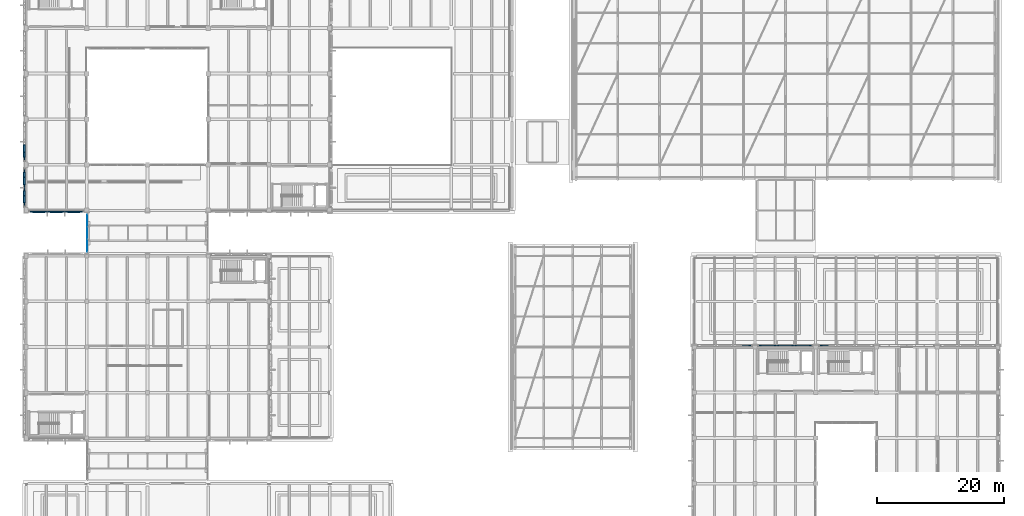
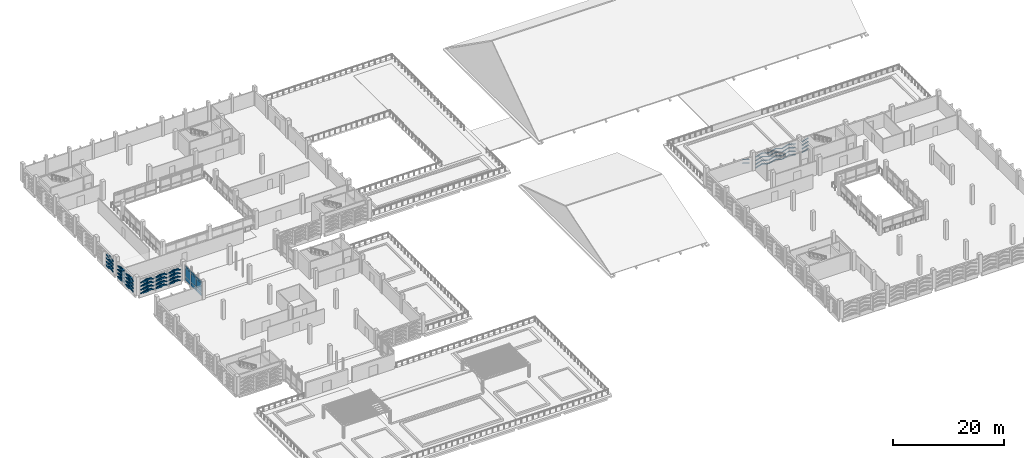
# One storey, part 95 of 134: 130 plates, 1 element without a shape of its own.
"""IFC4 building model written with IfcOpenShell, lengths in metres."""

from ifc_helpers import new_model, si_unit, direction, frame, origin, origin_2d, place, context, subcontext, project, spatial, rectangle, hollow_rectangle, extrude, material, layer, layer_set, material_profile, profile_set, type_object, element, aggregate, save


model = new_model("IFC4")

# Units and contexts
model_context = context("Model", 3, precision=1e-05, world=origin(), true_north=direction((0.0, 1.0)))
body_context = subcontext(model_context, "Body", "Model", "MODEL_VIEW")
ifc_project = project(units=[si_unit("LENGTHUNIT", "METRE"), si_unit("AREAUNIT", "SQUARE_METRE"), si_unit("VOLUMEUNIT", "CUBIC_METRE"), si_unit("PLANEANGLEUNIT", "RADIAN"), si_unit("MASSUNIT", "GRAM", prefix="KILO")], contexts=[model_context])

# Site, building, storey
site_placement = place(None, origin())
site = spatial("IfcSite", under=ifc_project, at=site_placement, CompositionType="ELEMENT")
building_placement = place(site_placement, origin())
building = spatial("IfcBuilding", under=site, at=building_placement, Name="Asteropetra Specialist Clinic", CompositionType="ELEMENT")
storey_placement = place(building_placement, frame((0.0, 0.0, 8.5)))
storey = spatial("IfcBuildingStorey", under=building, at=storey_placement, Name="L02", CompositionType="ELEMENT", Elevation=8.5)

# Plates
ifc_material_1 = material(Name="Chevron emerald aluminium 6063-T6", Category="aluminium")
ifc_material_profile_1 = material_profile(ifc_material_1, hollow_rectangle(XDim=0.179931640625, YDim=0.179931640625, WallThickness=0.010009765625, InnerFilletRadius=0.008056640625, OuterFilletRadius=0.01611328125, at=origin_2d()), Name="SHS 180x180x10.0")
ifc_profile_set_1 = profile_set([ifc_material_profile_1], Name="Chevron emerald aluminium 6063-T6")
plate_type_1 = type_object("IfcPlateType", Name="CHV-RIB-180", PredefinedType="SHEET", material=ifc_profile_set_1)
for number, where, z_axis, x_axis, name in (
    (1, (114.534912109375, 48.239501953125, 1.6201171875), (-0.952479516829, 0.0, 0.304602642835), (0.0, -1.0, 0.0), "Chevron Facade Screen Fin CVR-2492"),
    (2, (114.534912109375, 48.239501953125, 2.39990234375), (-0.952430080856, 0.0, 0.304757183805), (0.0, -1.0, 0.0), "Chevron Facade Screen Fin CVR-2494"),
    (3, (124.135009765625, 48.239501953125, 0.050048828125), (-0.952430080856, 0.0, 0.304757183805), (0.0, -1.0, 0.0), "Chevron Facade Screen Fin CVR-2536"),
    (4, (122.77001953125, 48.239501953125, 0.48681640625), (-0.952430080856, 0.0, -0.304757183805), (0.0, -1.0, 0.0), "Chevron Facade Screen Fin CVR-2537"),
    (5, (124.135009765625, 48.239501953125, 0.820068359375), (-0.952479516829, 0.0, 0.304602642835), (0.0, -1.0, 0.0), "Chevron Facade Screen Fin CVR-2538"),
    (6, (122.77001953125, 48.239501953125, 1.256591796875), (-0.952479516829, 0.0, -0.304602642835), (0.0, -1.0, 0.0), "Chevron Facade Screen Fin CVR-2539"),
    (7, (124.135009765625, 48.239501953125, 1.6201171875), (-0.952479516829, 0.0, 0.304602642835), (0.0, -1.0, 0.0), "Chevron Facade Screen Fin CVR-2540"),
    (8, (122.77001953125, 48.239501953125, 2.056640625), (-0.952479516829, 0.0, -0.304602642835), (0.0, -1.0, 0.0), "Chevron Facade Screen Fin CVR-2541"),
    (9, (124.135009765625, 48.239501953125, 2.39990234375), (-0.952430080856, 0.0, 0.304757183805), (0.0, -1.0, 0.0), "Chevron Facade Screen Fin CVR-2542"),
    (10, (122.77001953125, 48.239501953125, 2.836669921875), (-0.952430080856, 0.0, -0.304757183805), (0.0, -1.0, 0.0), "Chevron Facade Screen Fin CVR-2543"),
    (11, (121.364990234375, 48.239501953125, 0.050048828125), (-0.952430080856, 0.0, 0.304757183805), (0.0, -1.0, 0.0), "Chevron Facade Screen Fin CVR-2544"),
    (12, (120.0, 48.239501953125, 0.48681640625), (-0.952430080856, 0.0, -0.304757183805), (0.0, -1.0, 0.0), "Chevron Facade Screen Fin CVR-2545"),
    (13, (121.364990234375, 48.239501953125, 0.820068359375), (-0.952479516829, 0.0, 0.304602642835), (0.0, -1.0, 0.0), "Chevron Facade Screen Fin CVR-2546"),
    (14, (120.0, 48.239501953125, 1.256591796875), (-0.952479516829, 0.0, -0.304602642835), (0.0, -1.0, 0.0), "Chevron Facade Screen Fin CVR-2547"),
    (15, (121.364990234375, 48.239501953125, 1.6201171875), (-0.952479516829, 0.0, 0.304602642835), (0.0, -1.0, 0.0), "Chevron Facade Screen Fin CVR-2548"),
    (16, (120.0, 48.239501953125, 2.056640625), (-0.952479516829, 0.0, -0.304602642835), (0.0, -1.0, 0.0), "Chevron Facade Screen Fin CVR-2549"),
    (17, (121.364990234375, 48.239501953125, 2.39990234375), (-0.952430080856, 0.0, 0.304757183805), (0.0, -1.0, 0.0), "Chevron Facade Screen Fin CVR-2550"),
    (18, (120.0, 48.239501953125, 2.836669921875), (-0.952430080856, 0.0, -0.304757183805), (0.0, -1.0, 0.0), "Chevron Facade Screen Fin CVR-2551"),
    (19, (118.594970703125, 48.239501953125, 0.050048828125), (-0.952430080856, 0.0, 0.304757183805), (0.0, -1.0, 0.0), "Chevron Facade Screen Fin CVR-2552"),
    (20, (117.22998046875, 48.239501953125, 0.48681640625), (-0.952430080856, 0.0, -0.304757183805), (0.0, -1.0, 0.0), "Chevron Facade Screen Fin CVR-2553"),
    (21, (118.594970703125, 48.239501953125, 0.820068359375), (-0.952479516829, 0.0, 0.304602642835), (0.0, -1.0, 0.0), "Chevron Facade Screen Fin CVR-2554"),
    (22, (117.22998046875, 48.239501953125, 1.256591796875), (-0.952479516829, 0.0, -0.304602642835), (0.0, -1.0, 0.0), "Chevron Facade Screen Fin CVR-2555"),
    (23, (118.594970703125, 48.239501953125, 1.6201171875), (-0.952479516829, 0.0, 0.304602642835), (0.0, -1.0, 0.0), "Chevron Facade Screen Fin CVR-2556"),
    (24, (117.22998046875, 48.239501953125, 2.056640625), (-0.952479516829, 0.0, -0.304602642835), (0.0, -1.0, 0.0), "Chevron Facade Screen Fin CVR-2557"),
    (25, (118.594970703125, 48.239501953125, 2.39990234375), (-0.952430080856, 0.0, 0.304757183805), (0.0, -1.0, 0.0), "Chevron Facade Screen Fin CVR-2558"),
    (26, (117.22998046875, 48.239501953125, 2.836669921875), (-0.952430080856, 0.0, -0.304757183805), (0.0, -1.0, 0.0), "Chevron Facade Screen Fin CVR-2559"),
    (27, (126.830078125, 48.239501953125, 0.48681640625), (-0.952430080856, 0.0, -0.304757183805), (0.0, -1.0, 0.0), "Chevron Facade Screen Fin CVR-2601"),
    (28, (126.830078125, 48.239501953125, 1.256591796875), (-0.952479516829, 0.0, -0.304602642835), (0.0, -1.0, 0.0), "Chevron Facade Screen Fin CVR-2603"),
    (29, (126.830078125, 48.239501953125, 2.056640625), (-0.952479516829, 0.0, -0.304602642835), (0.0, -1.0, 0.0), "Chevron Facade Screen Fin CVR-2605"),
    (30, (126.830078125, 48.239501953125, 2.836669921875), (-0.952430080856, 0.0, -0.304757183805), (0.0, -1.0, 0.0), "Chevron Facade Screen Fin CVR-2607"),
):
    element("IfcPlate", number, at=place(storey_placement, frame(where, z_axis=z_axis, x_axis=x_axis)), inside=storey, type_object=plate_type_1, Name=name, PredefinedType="SHEET", context=body_context, shape_type="SweptSolid", body=[
        extrude(hollow_rectangle(XDim=0.179931640625, YDim=0.179931640625, WallThickness=0.010009765625, InnerFilletRadius=0.008056640625, OuterFilletRadius=0.01611328125, at=origin_2d()), origin(), (0.0, 0.0, 1.0), 1.43310546875),
    ])
ifc_material_2 = material(Name="Chevron emerald aluminium 6063-T6", Category="aluminium")
ifc_material_profile_2 = material_profile(ifc_material_2, hollow_rectangle(XDim=0.199951171875, YDim=0.199951171875, WallThickness=0.010009765625, InnerFilletRadius=0.008056640625, OuterFilletRadius=0.01611328125, at=origin_2d()), Name="SHS 200x200x10.0")
ifc_profile_set_2 = profile_set([ifc_material_profile_2], Name="Chevron emerald aluminium 6063-T6")
plate_type_2 = type_object("IfcPlateType", Name="CHV-RIB-200", PredefinedType="SHEET", material=ifc_profile_set_2)
plate_1_placement = place(storey_placement, frame((0.639892578125, 69.35791015625, 0.050048828125), z_axis=(0.952430080856, 0.0, 0.304757183805), x_axis=(0.0, 1.0, 0.0)))
element("IfcPlate", 31, at=plate_1_placement, inside=storey, type_object=plate_type_2, Name="Chevron Facade Screen Fin CVR-0827", PredefinedType="SHEET", context=body_context, shape_type="SweptSolid", body=[
    extrude(hollow_rectangle(XDim=0.199951171875, YDim=0.199951171875, WallThickness=0.010009765625, InnerFilletRadius=0.008056640625, OuterFilletRadius=0.01611328125, at=origin_2d()), origin(), (0.0, 0.0, 1.0), 1.43310546875),
])
plate_2_placement = place(storey_placement, frame((2.0048828125, 69.35791015625, 0.48681640625), z_axis=(0.952445898647, 0.0, -0.304707745472), x_axis=(0.0, 1.0, 0.0)))
element("IfcPlate", 32, at=plate_2_placement, inside=storey, type_object=plate_type_2, Name="Chevron Facade Screen Fin CVR-0828", PredefinedType="SHEET", context=body_context, shape_type="SweptSolid", body=[
    extrude(hollow_rectangle(XDim=0.199951171875, YDim=0.199951171875, WallThickness=0.010009765625, InnerFilletRadius=0.008056640625, OuterFilletRadius=0.01611328125, at=origin_2d()), origin(), (0.0, 0.0, 1.0), 1.433349609375),
])
plate_3_placement = place(storey_placement, frame((0.639892578125, 69.35791015625, 0.820068359375), z_axis=(0.952479516829, 0.0, 0.304602642835), x_axis=(0.0, 1.0, 0.0)))
element("IfcPlate", 33, at=plate_3_placement, inside=storey, type_object=plate_type_2, Name="Chevron Facade Screen Fin CVR-0829", PredefinedType="SHEET", context=body_context, shape_type="SweptSolid", body=[
    extrude(hollow_rectangle(XDim=0.199951171875, YDim=0.199951171875, WallThickness=0.010009765625, InnerFilletRadius=0.008056640625, OuterFilletRadius=0.01611328125, at=origin_2d()), origin(), (0.0, 0.0, 1.0), 1.43310546875),
])
plate_4_placement = place(storey_placement, frame((2.0048828125, 69.35791015625, 1.256591796875), z_axis=(0.952495319401, 0.0, -0.304553224444), x_axis=(0.0, 1.0, 0.0)))
element("IfcPlate", 34, at=plate_4_placement, inside=storey, type_object=plate_type_2, Name="Chevron Facade Screen Fin CVR-0830", PredefinedType="SHEET", context=body_context, shape_type="SweptSolid", body=[
    extrude(hollow_rectangle(XDim=0.199951171875, YDim=0.199951171875, WallThickness=0.010009765625, InnerFilletRadius=0.008056640625, OuterFilletRadius=0.01611328125, at=origin_2d()), origin(), (0.0, 0.0, 1.0), 1.433349609375),
])
plate_5_placement = place(storey_placement, frame((0.639892578125, 69.35791015625, 1.6201171875), z_axis=(0.952479516829, 0.0, 0.304602642835), x_axis=(0.0, 1.0, 0.0)))
element("IfcPlate", 35, at=plate_5_placement, inside=storey, type_object=plate_type_2, Name="Chevron Facade Screen Fin CVR-0831", PredefinedType="SHEET", context=body_context, shape_type="SweptSolid", body=[
    extrude(hollow_rectangle(XDim=0.199951171875, YDim=0.199951171875, WallThickness=0.010009765625, InnerFilletRadius=0.008056640625, OuterFilletRadius=0.01611328125, at=origin_2d()), origin(), (0.0, 0.0, 1.0), 1.43310546875),
])
plate_6_placement = place(storey_placement, frame((2.0048828125, 69.35791015625, 2.056640625), z_axis=(0.952495319401, 0.0, -0.304553224444), x_axis=(0.0, 1.0, 0.0)))
element("IfcPlate", 36, at=plate_6_placement, inside=storey, type_object=plate_type_2, Name="Chevron Facade Screen Fin CVR-0832", PredefinedType="SHEET", context=body_context, shape_type="SweptSolid", body=[
    extrude(hollow_rectangle(XDim=0.199951171875, YDim=0.199951171875, WallThickness=0.010009765625, InnerFilletRadius=0.008056640625, OuterFilletRadius=0.01611328125, at=origin_2d()), origin(), (0.0, 0.0, 1.0), 1.433349609375),
])
plate_7_placement = place(storey_placement, frame((0.639892578125, 69.35791015625, 2.39990234375), z_axis=(0.952430080856, 0.0, 0.304757183805), x_axis=(0.0, 1.0, 0.0)))
element("IfcPlate", 37, at=plate_7_placement, inside=storey, type_object=plate_type_2, Name="Chevron Facade Screen Fin CVR-0833", PredefinedType="SHEET", context=body_context, shape_type="SweptSolid", body=[
    extrude(hollow_rectangle(XDim=0.199951171875, YDim=0.199951171875, WallThickness=0.010009765625, InnerFilletRadius=0.008056640625, OuterFilletRadius=0.01611328125, at=origin_2d()), origin(), (0.0, 0.0, 1.0), 1.43310546875),
])
plate_8_placement = place(storey_placement, frame((2.0048828125, 69.35791015625, 2.836669921875), z_axis=(0.952445898647, 0.0, -0.304707745472), x_axis=(0.0, 1.0, 0.0)))
element("IfcPlate", 38, at=plate_8_placement, inside=storey, type_object=plate_type_2, Name="Chevron Facade Screen Fin CVR-0834", PredefinedType="SHEET", context=body_context, shape_type="SweptSolid", body=[
    extrude(hollow_rectangle(XDim=0.199951171875, YDim=0.199951171875, WallThickness=0.010009765625, InnerFilletRadius=0.008056640625, OuterFilletRadius=0.01611328125, at=origin_2d()), origin(), (0.0, 0.0, 1.0), 1.433349609375),
])
for number, where, z_axis, x_axis, name in (
    (39, (3.409912109375, 69.35791015625, 0.050048828125), (0.952430080856, 0.0, 0.304757183805), (0.0, 1.0, 0.0), "Chevron Facade Screen Fin CVR-0835"),
    (40, (4.77490234375, 69.35791015625, 0.48681640625), (0.952430080856, 0.0, -0.304757183805), (0.0, 1.0, 0.0), "Chevron Facade Screen Fin CVR-0836"),
    (41, (3.409912109375, 69.35791015625, 0.820068359375), (0.952479516829, 0.0, 0.304602642835), (0.0, 1.0, 0.0), "Chevron Facade Screen Fin CVR-0837"),
    (42, (4.77490234375, 69.35791015625, 1.256591796875), (0.952479516829, 0.0, -0.304602642835), (0.0, 1.0, 0.0), "Chevron Facade Screen Fin CVR-0838"),
    (43, (3.409912109375, 69.35791015625, 1.6201171875), (0.952479516829, 0.0, 0.304602642835), (0.0, 1.0, 0.0), "Chevron Facade Screen Fin CVR-0839"),
    (44, (4.77490234375, 69.35791015625, 2.056640625), (0.952479516829, 0.0, -0.304602642835), (0.0, 1.0, 0.0), "Chevron Facade Screen Fin CVR-0840"),
    (45, (3.409912109375, 69.35791015625, 2.39990234375), (0.952430080856, 0.0, 0.304757183805), (0.0, 1.0, 0.0), "Chevron Facade Screen Fin CVR-0841"),
    (46, (4.77490234375, 69.35791015625, 2.836669921875), (0.952430080856, 0.0, -0.304757183805), (0.0, 1.0, 0.0), "Chevron Facade Screen Fin CVR-0842"),
    (47, (6.179931640625, 69.35791015625, 0.050048828125), (0.952430080856, 0.0, 0.304757183805), (0.0, 1.0, 0.0), "Chevron Facade Screen Fin CVR-0843"),
    (48, (7.544921875, 69.35791015625, 0.48681640625), (0.952430080856, 0.0, -0.304757183805), (0.0, 1.0, 0.0), "Chevron Facade Screen Fin CVR-0844"),
    (49, (6.179931640625, 69.35791015625, 0.820068359375), (0.952479516829, 0.0, 0.304602642835), (0.0, 1.0, 0.0), "Chevron Facade Screen Fin CVR-0845"),
    (50, (7.544921875, 69.35791015625, 1.256591796875), (0.952479516829, 0.0, -0.304602642835), (0.0, 1.0, 0.0), "Chevron Facade Screen Fin CVR-0846"),
    (51, (6.179931640625, 69.35791015625, 1.6201171875), (0.952479516829, 0.0, 0.304602642835), (0.0, 1.0, 0.0), "Chevron Facade Screen Fin CVR-0847"),
    (52, (7.544921875, 69.35791015625, 2.056640625), (0.952479516829, 0.0, -0.304602642835), (0.0, 1.0, 0.0), "Chevron Facade Screen Fin CVR-0848"),
    (53, (6.179931640625, 69.35791015625, 2.39990234375), (0.952430080856, 0.0, 0.304757183805), (0.0, 1.0, 0.0), "Chevron Facade Screen Fin CVR-0849"),
    (54, (7.544921875, 69.35791015625, 2.836669921875), (0.952430080856, 0.0, -0.304757183805), (0.0, 1.0, 0.0), "Chevron Facade Screen Fin CVR-0850"),
):
    element("IfcPlate", number, at=place(storey_placement, frame(where, z_axis=z_axis, x_axis=x_axis)), inside=storey, type_object=plate_type_2, Name=name, PredefinedType="SHEET", context=body_context, shape_type="SweptSolid", body=[
        extrude(hollow_rectangle(XDim=0.199951171875, YDim=0.199951171875, WallThickness=0.010009765625, InnerFilletRadius=0.008056640625, OuterFilletRadius=0.01611328125, at=origin_2d()), origin(), (0.0, 0.0, 1.0), 1.43310546875),
    ])
for number, where, z_axis, x_axis, name in (
    (55, (-0.241943359375, 76.034912109375, 0.050048828125), (0.0, -0.952510437396, 0.304505938616), (1.0, 0.0, 0.0), "Chevron Facade Screen Fin CVR-1027"),
    (56, (-0.241943359375, 74.62744140625, 0.5), (0.0, -0.952510437396, -0.304505938616), (1.0, 0.0, 0.0), "Chevron Facade Screen Fin CVR-1028"),
    (57, (-0.241943359375, 76.034912109375, 0.820068359375), (0.0, -0.952510437396, 0.304505938616), (1.0, 0.0, 0.0), "Chevron Facade Screen Fin CVR-1029"),
    (58, (-0.241943359375, 74.62744140625, 1.27001953125), (0.0, -0.952510437396, -0.304505938616), (1.0, 0.0, 0.0), "Chevron Facade Screen Fin CVR-1030"),
    (59, (-0.241943359375, 76.034912109375, 1.6201171875), (0.0, -0.952510437396, 0.304505938616), (1.0, 0.0, 0.0), "Chevron Facade Screen Fin CVR-1031"),
    (60, (-0.241943359375, 74.62744140625, 2.070068359375), (0.0, -0.952510437396, -0.304505938616), (1.0, 0.0, 0.0), "Chevron Facade Screen Fin CVR-1032"),
):
    element("IfcPlate", number, at=place(storey_placement, frame(where, z_axis=z_axis, x_axis=x_axis)), inside=storey, type_object=plate_type_2, Name=name, PredefinedType="SHEET", context=body_context, shape_type="SweptSolid", body=[
        extrude(hollow_rectangle(XDim=0.199951171875, YDim=0.199951171875, WallThickness=0.010009765625, InnerFilletRadius=0.008056640625, OuterFilletRadius=0.01611328125, at=origin_2d()), origin(), (0.0, 0.0, 1.0), 1.4775390625),
    ])
for number, where, z_axis, x_axis, name in (
    (61, (-0.241943359375, 76.034912109375, 2.39990234375), (0.0, -0.952462505902, 0.304655830162), (1.0, 0.0, 0.0), "Chevron Facade Screen Fin CVR-1033"),
    (62, (-0.241943359375, 74.62744140625, 2.85009765625), (0.0, -0.952462505902, -0.304655830162), (1.0, 0.0, 0.0), "Chevron Facade Screen Fin CVR-1034"),
):
    element("IfcPlate", number, at=place(storey_placement, frame(where, z_axis=z_axis, x_axis=x_axis)), inside=storey, type_object=plate_type_2, Name=name, PredefinedType="SHEET", context=body_context, shape_type="SweptSolid", body=[
        extrude(hollow_rectangle(XDim=0.199951171875, YDim=0.199951171875, WallThickness=0.010009765625, InnerFilletRadius=0.008056640625, OuterFilletRadius=0.01611328125, at=origin_2d()), origin(), (0.0, 0.0, 1.0), 1.477783203125),
    ])
for number, where, z_axis, x_axis, name in (
    (63, (-0.241943359375, 73.179931640625, 0.050048828125), (0.0, -0.952510437396, 0.304505938616), (1.0, 0.0, 0.0), "Chevron Facade Screen Fin CVR-1035"),
    (64, (-0.241943359375, 71.7724609375, 0.5), (0.0, -0.952510437396, -0.304505938616), (1.0, 0.0, 0.0), "Chevron Facade Screen Fin CVR-1036"),
    (65, (-0.241943359375, 73.179931640625, 0.820068359375), (0.0, -0.952510437396, 0.304505938616), (1.0, 0.0, 0.0), "Chevron Facade Screen Fin CVR-1037"),
    (66, (-0.241943359375, 71.7724609375, 1.27001953125), (0.0, -0.952510437396, -0.304505938616), (1.0, 0.0, 0.0), "Chevron Facade Screen Fin CVR-1038"),
    (67, (-0.241943359375, 73.179931640625, 1.6201171875), (0.0, -0.952510437396, 0.304505938616), (1.0, 0.0, 0.0), "Chevron Facade Screen Fin CVR-1039"),
    (68, (-0.241943359375, 71.7724609375, 2.070068359375), (0.0, -0.952510437396, -0.304505938616), (1.0, 0.0, 0.0), "Chevron Facade Screen Fin CVR-1040"),
):
    element("IfcPlate", number, at=place(storey_placement, frame(where, z_axis=z_axis, x_axis=x_axis)), inside=storey, type_object=plate_type_2, Name=name, PredefinedType="SHEET", context=body_context, shape_type="SweptSolid", body=[
        extrude(hollow_rectangle(XDim=0.199951171875, YDim=0.199951171875, WallThickness=0.010009765625, InnerFilletRadius=0.008056640625, OuterFilletRadius=0.01611328125, at=origin_2d()), origin(), (0.0, 0.0, 1.0), 1.4775390625),
    ])
for number, where, z_axis, x_axis, name in (
    (69, (-0.241943359375, 73.179931640625, 2.39990234375), (0.0, -0.952462505902, 0.304655830162), (1.0, 0.0, 0.0), "Chevron Facade Screen Fin CVR-1041"),
    (70, (-0.241943359375, 71.7724609375, 2.85009765625), (0.0, -0.952462505902, -0.304655830162), (1.0, 0.0, 0.0), "Chevron Facade Screen Fin CVR-1042"),
):
    element("IfcPlate", number, at=place(storey_placement, frame(where, z_axis=z_axis, x_axis=x_axis)), inside=storey, type_object=plate_type_2, Name=name, PredefinedType="SHEET", context=body_context, shape_type="SweptSolid", body=[
        extrude(hollow_rectangle(XDim=0.199951171875, YDim=0.199951171875, WallThickness=0.010009765625, InnerFilletRadius=0.008056640625, OuterFilletRadius=0.01611328125, at=origin_2d()), origin(), (0.0, 0.0, 1.0), 1.477783203125),
    ])
for number, where, z_axis, x_axis, name in (
    (71, (-0.241943359375, 78.972412109375, 0.5), (0.0, -0.952510437396, -0.304505938616), (1.0, 0.0, 0.0), "Chevron Facade Screen Fin CVR-1068"),
    (72, (-0.241943359375, 78.972412109375, 1.27001953125), (0.0, -0.952510437396, -0.304505938616), (1.0, 0.0, 0.0), "Chevron Facade Screen Fin CVR-1070"),
    (73, (-0.241943359375, 78.972412109375, 2.070068359375), (0.0, -0.952510437396, -0.304505938616), (1.0, 0.0, 0.0), "Chevron Facade Screen Fin CVR-1072"),
):
    element("IfcPlate", number, at=place(storey_placement, frame(where, z_axis=z_axis, x_axis=x_axis)), inside=storey, type_object=plate_type_2, Name=name, PredefinedType="SHEET", context=body_context, shape_type="SweptSolid", body=[
        extrude(hollow_rectangle(XDim=0.199951171875, YDim=0.199951171875, WallThickness=0.010009765625, InnerFilletRadius=0.008056640625, OuterFilletRadius=0.01611328125, at=origin_2d()), origin(), (0.0, 0.0, 1.0), 1.4775390625),
    ])
plate_9_placement = place(storey_placement, frame((-0.241943359375, 78.972412109375, 2.85009765625), z_axis=(0.0, -0.952462505902, -0.304655830162), x_axis=(1.0, 0.0, 0.0)))
element("IfcPlate", 74, at=plate_9_placement, inside=storey, type_object=plate_type_2, Name="Chevron Facade Screen Fin CVR-1074", PredefinedType="SHEET", context=body_context, shape_type="SweptSolid", body=[
    extrude(hollow_rectangle(XDim=0.199951171875, YDim=0.199951171875, WallThickness=0.010009765625, InnerFilletRadius=0.008056640625, OuterFilletRadius=0.01611328125, at=origin_2d()), origin(), (0.0, 0.0, 1.0), 1.477783203125),
])

# Curtain wall, plates
ifc_material_3 = material(Name="Aluminium and low-E glass", Category="aluminium")
ifc_layer_1 = layer(ifc_material_3, 0.14990234375)
ifc_layer_set_1 = layer_set([ifc_layer_1], Name="Aluminium and low-E glass")
curtain_wall_type = type_object("IfcCurtainWallType", Name="CW-SYS-08", PredefinedType="USERDEFINED", material=ifc_layer_set_1)
curtain_wall_placement = place(storey_placement, origin())
curtain_wall = element("IfcCurtainWall", 75, at=curtain_wall_placement, inside=storey, type_object=curtain_wall_type, Name="Curtain Wall CW-105", ObjectType="STICK GLAZED COLONNADE", PredefinedType="USERDEFINED")
ifc_material_4 = material(Name="Low-E acoustic double glazing", Category="glass")
ifc_layer_2 = layer(ifc_material_4, 0.031982421875)
ifc_layer_set_2 = layer_set([ifc_layer_2], Name="Low-E acoustic double glazing")
plate_type_3 = type_object("IfcPlateType", Name="CWP-GLZ-32", PredefinedType="CURTAIN_PANEL", material=ifc_layer_set_2)
plate_10_placement = place(storey_placement, frame((9.679931640625, 64.025390625, 0.074951171875), z_axis=(0.0, 0.0, 1.0), x_axis=(0.0, 1.0, 0.0)))
plate_10 = element("IfcPlate", 76, at=plate_10_placement, type_object=plate_type_3, Name="CW-105 panel 1.1", PredefinedType="CURTAIN_PANEL", context=body_context, shape_type="SweptSolid", body=[
    extrude(rectangle(XDim=1.880859375, YDim=0.031982421875, at=origin_2d()), origin(), (0.0, 0.0, 1.0), 0.78759765625),
])
plate_11_placement = place(storey_placement, frame((9.679931640625, 64.025390625, 0.9375), z_axis=(0.0, 0.0, 1.0), x_axis=(0.0, 1.0, 0.0)))
plate_11 = element("IfcPlate", 77, at=plate_11_placement, type_object=plate_type_3, Name="CW-105 panel 1.2", PredefinedType="CURTAIN_PANEL", context=body_context, shape_type="SweptSolid", body=[
    extrude(rectangle(XDim=1.880859375, YDim=0.031982421875, at=origin_2d()), origin(), (0.0, 0.0, 1.0), 1.955078125),
])
plate_12_placement = place(storey_placement, frame((9.679931640625, 64.025390625, 2.96728515625), z_axis=(0.0, 0.0, 1.0), x_axis=(0.0, 1.0, 0.0)))
plate_12 = element("IfcPlate", 78, at=plate_12_placement, type_object=plate_type_3, Name="CW-105 panel 1.3", PredefinedType="CURTAIN_PANEL", context=body_context, shape_type="SweptSolid", body=[
    extrude(rectangle(XDim=1.880859375, YDim=0.031982421875, at=origin_2d()), origin(), (0.0, 0.0, 1.0), 0.387451171875),
])
plate_13_placement = place(storey_placement, frame((9.679931640625, 66.0, 0.074951171875), z_axis=(0.0, 0.0, 1.0), x_axis=(0.0, 1.0, 0.0)))
plate_13 = element("IfcPlate", 79, at=plate_13_placement, type_object=plate_type_3, Name="CW-105 panel 2.1", PredefinedType="CURTAIN_PANEL", context=body_context, shape_type="SweptSolid", body=[
    extrude(rectangle(XDim=1.918212890625, YDim=0.031982421875, at=origin_2d()), origin(), (0.0, 0.0, 1.0), 0.78759765625),
])
plate_14_placement = place(storey_placement, frame((9.679931640625, 66.0, 0.9375), z_axis=(0.0, 0.0, 1.0), x_axis=(0.0, 1.0, 0.0)))
plate_14 = element("IfcPlate", 80, at=plate_14_placement, type_object=plate_type_3, Name="CW-105 panel 2.2", PredefinedType="CURTAIN_PANEL", context=body_context, shape_type="SweptSolid", body=[
    extrude(rectangle(XDim=1.918212890625, YDim=0.031982421875, at=origin_2d()), origin(), (0.0, 0.0, 1.0), 1.955078125),
])
plate_15_placement = place(storey_placement, frame((9.679931640625, 66.0, 2.96728515625), z_axis=(0.0, 0.0, 1.0), x_axis=(0.0, 1.0, 0.0)))
plate_15 = element("IfcPlate", 81, at=plate_15_placement, type_object=plate_type_3, Name="CW-105 panel 2.3", PredefinedType="CURTAIN_PANEL", context=body_context, shape_type="SweptSolid", body=[
    extrude(rectangle(XDim=1.918212890625, YDim=0.031982421875, at=origin_2d()), origin(), (0.0, 0.0, 1.0), 0.387451171875),
])
plate_16_placement = place(storey_placement, frame((9.679931640625, 67.974609375, 0.074951171875), z_axis=(0.0, 0.0, 1.0), x_axis=(0.0, 1.0, 0.0)))
plate_16 = element("IfcPlate", 82, at=plate_16_placement, type_object=plate_type_3, Name="CW-105 panel 3.1", PredefinedType="CURTAIN_PANEL", context=body_context, shape_type="SweptSolid", body=[
    extrude(rectangle(XDim=1.880859375, YDim=0.031982421875, at=origin_2d()), origin(), (0.0, 0.0, 1.0), 0.78759765625),
])
plate_17_placement = place(storey_placement, frame((9.679931640625, 67.974609375, 0.9375), z_axis=(0.0, 0.0, 1.0), x_axis=(0.0, 1.0, 0.0)))
plate_17 = element("IfcPlate", 83, at=plate_17_placement, type_object=plate_type_3, Name="CW-105 panel 3.2", PredefinedType="CURTAIN_PANEL", context=body_context, shape_type="SweptSolid", body=[
    extrude(rectangle(XDim=1.880859375, YDim=0.031982421875, at=origin_2d()), origin(), (0.0, 0.0, 1.0), 1.955078125),
])
plate_18_placement = place(storey_placement, frame((9.679931640625, 67.974609375, 2.96728515625), z_axis=(0.0, 0.0, 1.0), x_axis=(0.0, 1.0, 0.0)))
plate_18 = element("IfcPlate", 84, at=plate_18_placement, type_object=plate_type_3, Name="CW-105 panel 3.3", PredefinedType="CURTAIN_PANEL", context=body_context, shape_type="SweptSolid", body=[
    extrude(rectangle(XDim=1.880859375, YDim=0.031982421875, at=origin_2d()), origin(), (0.0, 0.0, 1.0), 0.387451171875),
])
aggregate(curtain_wall, [plate_10, plate_11, plate_12, plate_13, plate_14, plate_15, plate_16, plate_17, plate_18])

# Plates
ifc_material_5 = material(Name="Aluminium 6063-T6", Category="aluminium")
ifc_layer_3 = layer(ifc_material_5, 0.139892578125)
ifc_layer_set_3 = layer_set([ifc_layer_3], Name="Aluminium 6063-T6")
plate_type_4 = type_object("IfcPlateType", Name="PLT-CHV-TILE", PredefinedType="SHEET", material=ifc_layer_set_3)
for number, where, z_axis, x_axis, name in (
    (85, (1.622802734375, 69.320068359375, 0.03076171875), (0.0, 0.0, 1.0), (1.0, 0.0, 0.0), "Chevron Ceramic Panel CPT-0465"),
    (86, (2.38720703125, 69.320068359375, 0.19677734375), (0.0, 0.0, 1.0), (1.0, 0.0, 0.0), "Chevron Ceramic Panel CPT-0466"),
    (87, (1.622802734375, 69.320068359375, 0.80078125), (0.0, 0.0, 1.0), (1.0, 0.0, 0.0), "Chevron Ceramic Panel CPT-0467"),
    (88, (2.38720703125, 69.320068359375, 0.966796875), (0.0, 0.0, 1.0), (1.0, 0.0, 0.0), "Chevron Ceramic Panel CPT-0468"),
    (89, (1.622802734375, 69.320068359375, 1.60107421875), (0.0, 0.0, 1.0), (1.0, 0.0, 0.0), "Chevron Ceramic Panel CPT-0469"),
    (90, (2.38720703125, 69.320068359375, 1.76708984375), (0.0, 0.0, 1.0), (1.0, 0.0, 0.0), "Chevron Ceramic Panel CPT-0470"),
    (91, (1.622802734375, 69.320068359375, 2.380859375), (0.0, 0.0, 1.0), (1.0, 0.0, 0.0), "Chevron Ceramic Panel CPT-0471"),
    (92, (2.38720703125, 69.320068359375, 2.546875), (0.0, 0.0, 1.0), (1.0, 0.0, 0.0), "Chevron Ceramic Panel CPT-0472"),
    (93, (4.392822265625, 69.320068359375, 0.03076171875), (0.0, 0.0, 1.0), (1.0, 0.0, 0.0), "Chevron Ceramic Panel CPT-0473"),
    (94, (5.1572265625, 69.320068359375, 0.19677734375), (0.0, 0.0, 1.0), (1.0, 0.0, 0.0), "Chevron Ceramic Panel CPT-0474"),
    (95, (4.392822265625, 69.320068359375, 0.80078125), (0.0, 0.0, 1.0), (1.0, 0.0, 0.0), "Chevron Ceramic Panel CPT-0475"),
    (96, (5.1572265625, 69.320068359375, 0.966796875), (0.0, 0.0, 1.0), (1.0, 0.0, 0.0), "Chevron Ceramic Panel CPT-0476"),
    (97, (4.392822265625, 69.320068359375, 1.60107421875), (0.0, 0.0, 1.0), (1.0, 0.0, 0.0), "Chevron Ceramic Panel CPT-0477"),
    (98, (5.1572265625, 69.320068359375, 1.76708984375), (0.0, 0.0, 1.0), (1.0, 0.0, 0.0), "Chevron Ceramic Panel CPT-0478"),
    (99, (4.392822265625, 69.320068359375, 2.380859375), (0.0, 0.0, 1.0), (1.0, 0.0, 0.0), "Chevron Ceramic Panel CPT-0479"),
    (100, (5.1572265625, 69.320068359375, 2.546875), (0.0, 0.0, 1.0), (1.0, 0.0, 0.0), "Chevron Ceramic Panel CPT-0480"),
    (101, (7.162841796875, 69.320068359375, 0.03076171875), (0.0, 0.0, 1.0), (1.0, 0.0, 0.0), "Chevron Ceramic Panel CPT-0481"),
    (102, (7.92724609375, 69.320068359375, 0.19677734375), (0.0, 0.0, 1.0), (1.0, 0.0, 0.0), "Chevron Ceramic Panel CPT-0482"),
    (103, (7.162841796875, 69.320068359375, 0.80078125), (0.0, 0.0, 1.0), (1.0, 0.0, 0.0), "Chevron Ceramic Panel CPT-0483"),
    (104, (7.92724609375, 69.320068359375, 0.966796875), (0.0, 0.0, 1.0), (1.0, 0.0, 0.0), "Chevron Ceramic Panel CPT-0484"),
    (105, (7.162841796875, 69.320068359375, 1.60107421875), (0.0, 0.0, 1.0), (1.0, 0.0, 0.0), "Chevron Ceramic Panel CPT-0485"),
    (106, (7.92724609375, 69.320068359375, 1.76708984375), (0.0, 0.0, 1.0), (1.0, 0.0, 0.0), "Chevron Ceramic Panel CPT-0486"),
    (107, (7.162841796875, 69.320068359375, 2.380859375), (0.0, 0.0, 1.0), (1.0, 0.0, 0.0), "Chevron Ceramic Panel CPT-0487"),
    (108, (7.92724609375, 69.320068359375, 2.546875), (0.0, 0.0, 1.0), (1.0, 0.0, 0.0), "Chevron Ceramic Panel CPT-0488"),
):
    element("IfcPlate", number, at=place(storey_placement, frame(where, z_axis=z_axis, x_axis=x_axis)), inside=storey, type_object=plate_type_4, Name=name, PredefinedType="SHEET", context=body_context, shape_type="SweptSolid", body=[
        extrude(rectangle(XDim=1.092041015625, YDim=0.280029296875, at=origin_2d()), origin(), (0.0, 0.0, 1.0), 0.300048828125),
    ])
for number, where, z_axis, x_axis, name in (
    (109, (-0.280029296875, 75.021484375, 0.03515625), (0.0, 0.0, 1.0), (1.0, 0.0, 0.0), "Chevron Ceramic Panel CPT-0697"),
    (110, (-0.280029296875, 74.2333984375, 0.2060546875), (0.0, 0.0, 1.0), (1.0, 0.0, 0.0), "Chevron Ceramic Panel CPT-0698"),
    (111, (-0.280029296875, 75.021484375, 0.80517578125), (0.0, 0.0, 1.0), (1.0, 0.0, 0.0), "Chevron Ceramic Panel CPT-0699"),
    (112, (-0.280029296875, 74.2333984375, 0.97607421875), (0.0, 0.0, 1.0), (1.0, 0.0, 0.0), "Chevron Ceramic Panel CPT-0700"),
    (113, (-0.280029296875, 75.021484375, 1.60498046875), (0.0, 0.0, 1.0), (1.0, 0.0, 0.0), "Chevron Ceramic Panel CPT-0701"),
    (114, (-0.280029296875, 74.2333984375, 1.77587890625), (0.0, 0.0, 1.0), (1.0, 0.0, 0.0), "Chevron Ceramic Panel CPT-0702"),
    (115, (-0.280029296875, 75.021484375, 2.384765625), (0.0, 0.0, 1.0), (1.0, 0.0, 0.0), "Chevron Ceramic Panel CPT-0703"),
    (116, (-0.280029296875, 74.2333984375, 2.55615234375), (0.0, 0.0, 1.0), (1.0, 0.0, 0.0), "Chevron Ceramic Panel CPT-0704"),
    (117, (-0.280029296875, 72.16650390625, 0.03515625), (0.0, 0.0, 1.0), (1.0, 0.0, 0.0), "Chevron Ceramic Panel CPT-0705"),
    (118, (-0.280029296875, 71.37841796875, 0.2060546875), (0.0, 0.0, 1.0), (1.0, 0.0, 0.0), "Chevron Ceramic Panel CPT-0706"),
    (119, (-0.280029296875, 72.16650390625, 0.80517578125), (0.0, 0.0, 1.0), (1.0, 0.0, 0.0), "Chevron Ceramic Panel CPT-0707"),
    (120, (-0.280029296875, 71.37841796875, 0.97607421875), (0.0, 0.0, 1.0), (1.0, 0.0, 0.0), "Chevron Ceramic Panel CPT-0708"),
    (121, (-0.280029296875, 72.16650390625, 1.60498046875), (0.0, 0.0, 1.0), (1.0, 0.0, 0.0), "Chevron Ceramic Panel CPT-0709"),
    (122, (-0.280029296875, 71.37841796875, 1.77587890625), (0.0, 0.0, 1.0), (1.0, 0.0, 0.0), "Chevron Ceramic Panel CPT-0710"),
    (123, (-0.280029296875, 72.16650390625, 2.384765625), (0.0, 0.0, 1.0), (1.0, 0.0, 0.0), "Chevron Ceramic Panel CPT-0711"),
    (124, (-0.280029296875, 71.37841796875, 2.55615234375), (0.0, 0.0, 1.0), (1.0, 0.0, 0.0), "Chevron Ceramic Panel CPT-0712"),
    (125, (-0.280029296875, 79.36669921875, 0.03515625), (0.0, 0.0, 1.0), (1.0, 0.0, 0.0), "Chevron Ceramic Panel CPT-0737"),
    (126, (-0.280029296875, 78.578369140625, 0.2060546875), (0.0, 0.0, 1.0), (1.0, 0.0, 0.0), "Chevron Ceramic Panel CPT-0738"),
    (127, (-0.280029296875, 79.36669921875, 0.80517578125), (0.0, 0.0, 1.0), (1.0, 0.0, 0.0), "Chevron Ceramic Panel CPT-0739"),
    (128, (-0.280029296875, 78.578369140625, 0.97607421875), (0.0, 0.0, 1.0), (1.0, 0.0, 0.0), "Chevron Ceramic Panel CPT-0740"),
    (129, (-0.280029296875, 79.36669921875, 1.60498046875), (0.0, 0.0, 1.0), (1.0, 0.0, 0.0), "Chevron Ceramic Panel CPT-0741"),
    (130, (-0.280029296875, 78.578369140625, 1.77587890625), (0.0, 0.0, 1.0), (1.0, 0.0, 0.0), "Chevron Ceramic Panel CPT-0742"),
    (131, (-0.280029296875, 79.36669921875, 2.384765625), (0.0, 0.0, 1.0), (1.0, 0.0, 0.0), "Chevron Ceramic Panel CPT-0743"),
):
    element("IfcPlate", number, at=place(storey_placement, frame(where, z_axis=z_axis, x_axis=x_axis)), inside=storey, type_object=plate_type_4, Name=name, PredefinedType="SHEET", context=body_context, shape_type="SweptSolid", body=[
        extrude(rectangle(XDim=0.280029296875, YDim=1.1259765625, at=origin_2d()), origin(), (0.0, 0.0, 1.0), 0.300048828125),
    ])

save(model, "model.ifc")
